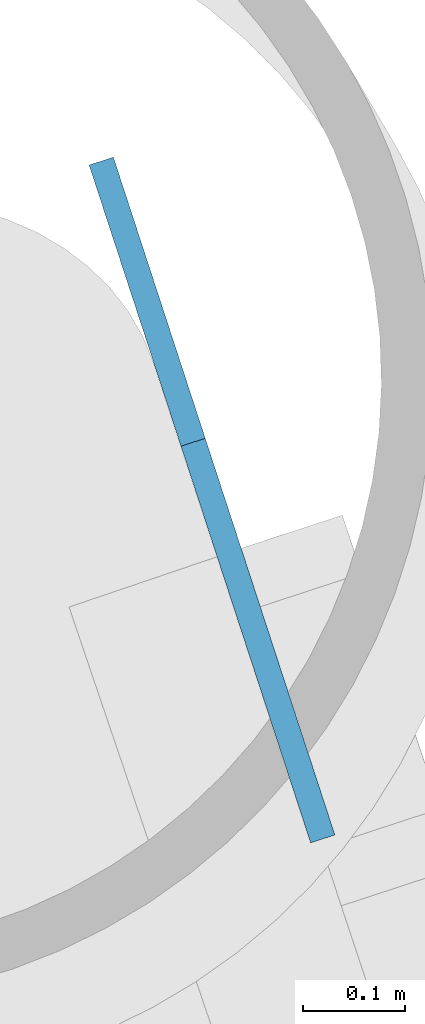
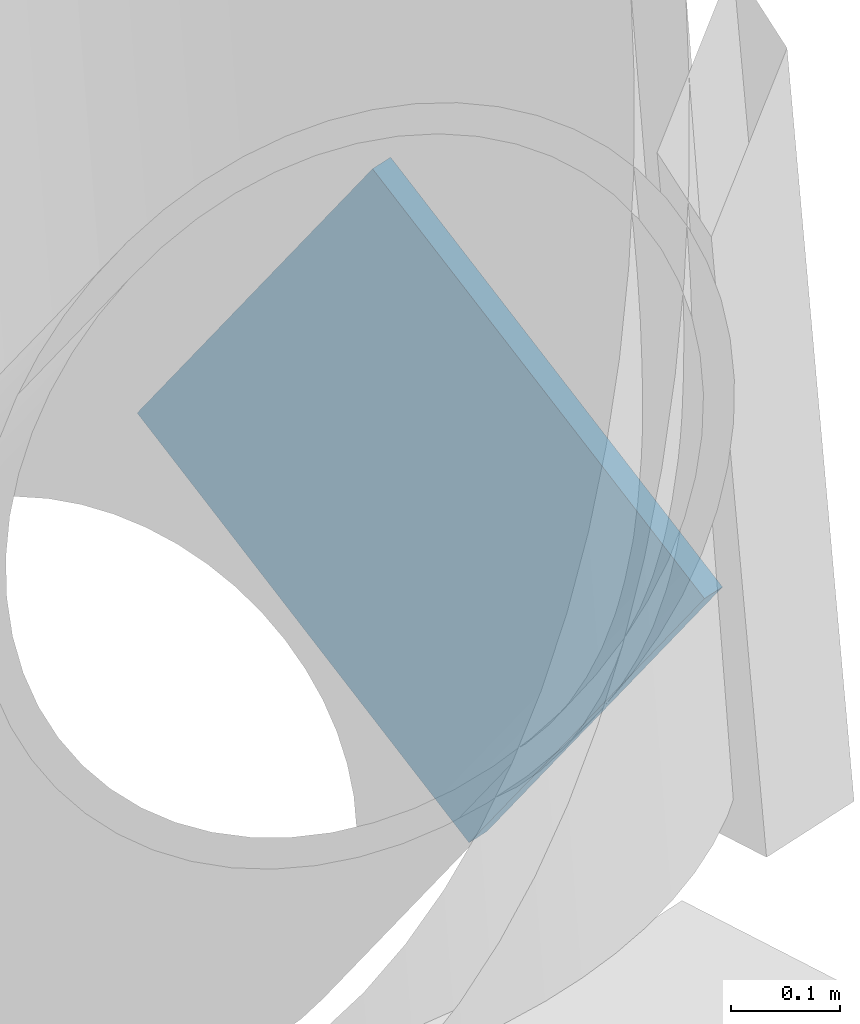
# One storey, part 14 of 22: 1 discrete accessory.
"""IFC4 building model written with IfcOpenShell, lengths in metres."""

from ifc_helpers import new_model, si_unit, direction, frame, origin, origin_2d, place, context, subcontext, project, spatial, rectangle, extrude, material, material_profile, profile_set, type_object, element, save


model = new_model("IFC4")

# Units and contexts
model_context = context("Model", 3, precision=1e-05, world=origin(), true_north=direction((0.0, 1.0)))
body_context = subcontext(model_context, "Body", "Model", "MODEL_VIEW")
ifc_project = project(units=[si_unit("LENGTHUNIT", "METRE"), si_unit("AREAUNIT", "SQUARE_METRE"), si_unit("VOLUMEUNIT", "CUBIC_METRE"), si_unit("PLANEANGLEUNIT", "RADIAN"), si_unit("MASSUNIT", "GRAM", prefix="KILO")], contexts=[model_context])

# Site, building, storey
site_placement = place(None, origin())
site = spatial("IfcSite", under=ifc_project, at=site_placement, CompositionType="ELEMENT")
building_placement = place(site_placement, origin())
building = spatial("IfcBuilding", under=site, at=building_placement, Name="Tarsis Ring Headquarters", CompositionType="ELEMENT")
storey_placement = place(building_placement, frame((0.0, 0.0, 71.199951171875)))
storey = spatial("IfcBuildingStorey", under=building, at=storey_placement, Name="L15", CompositionType="ELEMENT", Elevation=71.199951171875)

# Discrete accessory
ifc_material = material(Name="Structural steel S355", Category="steel")
ifc_material_profile = material_profile(ifc_material, rectangle(XDim=0.02490234375, YDim=0.5, at=origin_2d()), Name="PL 25x500")
ifc_profile_set = profile_set([ifc_material_profile], Name="Structural steel S355")
discrete_accessory_type = type_object("IfcDiscreteAccessoryType", Name="Gusset plate Exo brace 25", PredefinedType="BRACKET", material=ifc_profile_set)
discrete_accessory_placement = place(storey_placement, frame((25.37109375, 14.77294921875, 0.0), z_axis=(0.179661008801, -0.54972363019, 0.81579767855), x_axis=(0.950524089667, 0.310650857014, 0.0)))
element("IfcDiscreteAccessory", 1, at=discrete_accessory_placement, inside=storey, type_object=discrete_accessory_type, Name="Gusset plate GP5", PredefinedType="BRACKET", context=body_context, shape_type="SweptSolid", body=[
    extrude(rectangle(XDim=0.02490234375, YDim=0.5, at=origin_2d()), origin(), (0.0, 0.0, 1.0), 0.5),
])

save(model, "model.ifc")
